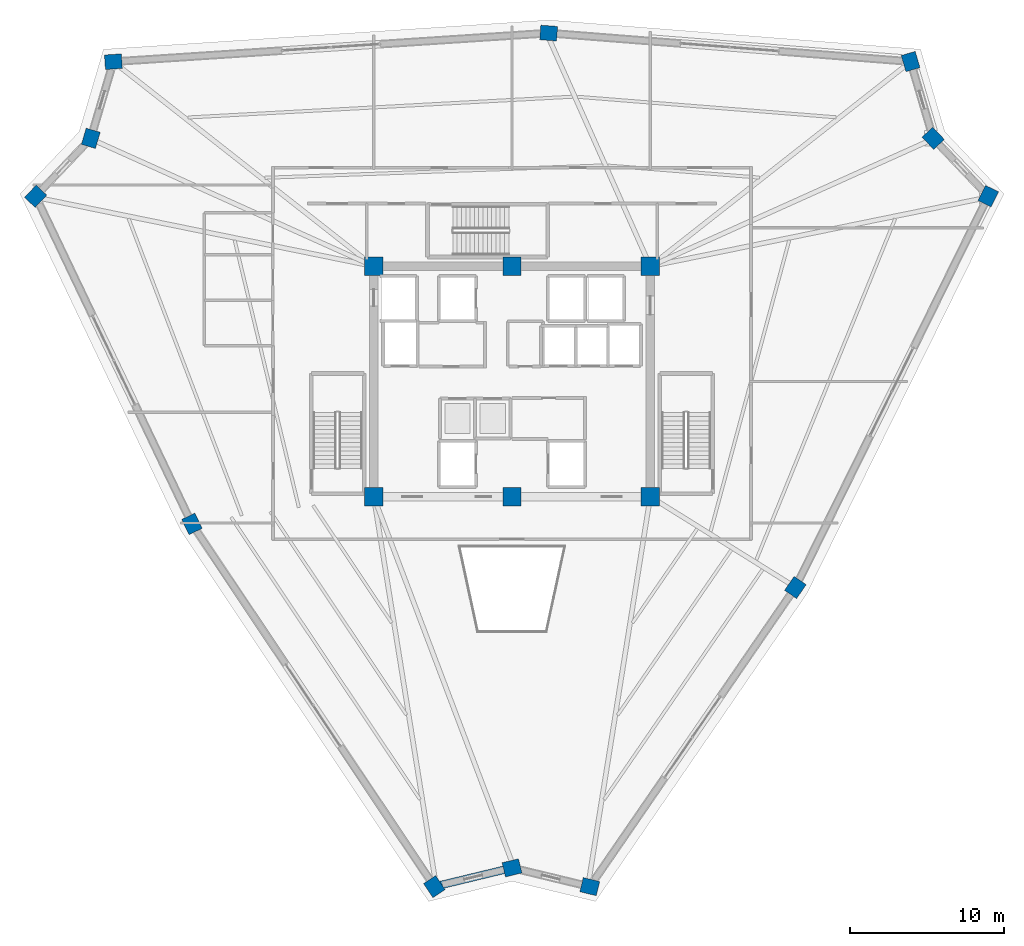
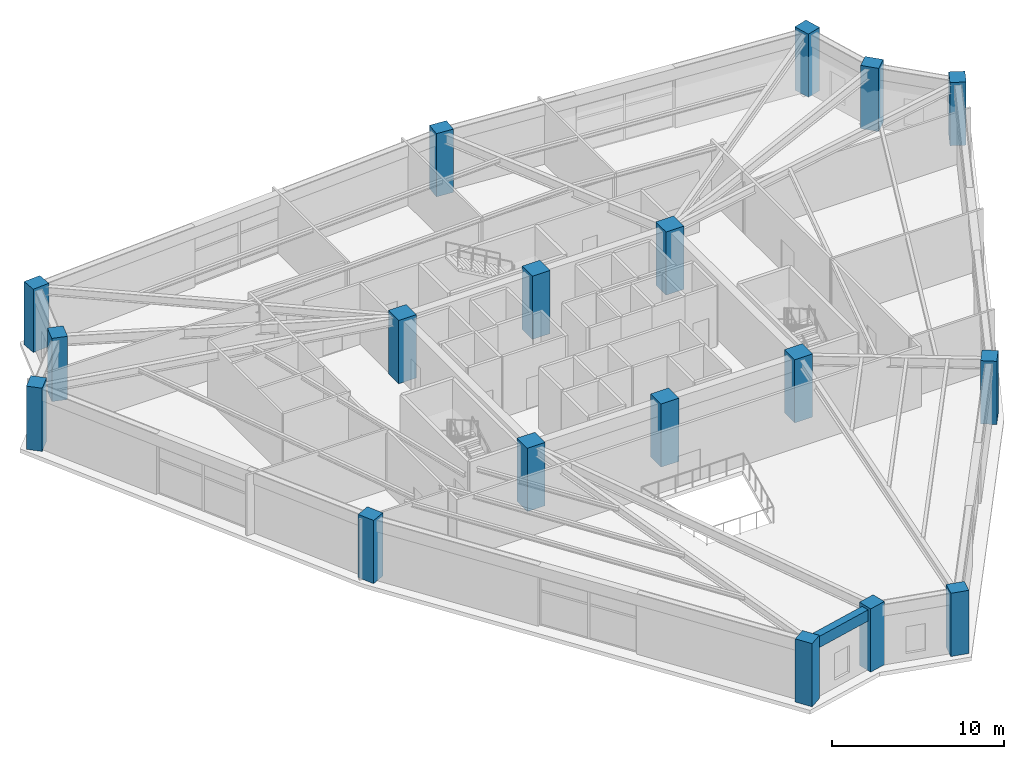
# One storey, part 1 of 35: 18 columns, 1 beam.
"""IFC4 building model written with IfcOpenShell, lengths in metres."""

import ifcopenshell
import ifcopenshell.guid

model = None  # the IFC model being written
_history = None  # IfcOwnerHistory: only IFC2X3 demands one
_inside = {}  # id of a spatial element -> (the spatial element, [elements in it])
_under = {}  # id of a project, library or spatial element -> (it, [spatial elements below it])
_declared = {}  # id of a project -> (the project, [libraries it declares])
_typed = {}  # id of a type object -> (the type object, [elements of that type])
_made_of = {}  # id of a material, layer set ... -> (it, [elements and type objects made of it])


def new_model(schema):
    """Start an empty IFC model of exactly this schema.

    Asked for "IFC4X3", IfcOpenShell would pick the latest addendum, in which some entities
    have other attributes; the version numbers below select the first issue.
    IFC2X3 requires an IfcOwnerHistory on every rooted entity: one is made here for all.
    """
    global model, _history
    if schema == "IFC4X3":
        model = ifcopenshell.file(schema_version=(4, 3, 0, 0))
    else:
        model = ifcopenshell.file(schema=schema)
    _inside.clear()
    _under.clear()
    _declared.clear()
    _typed.clear()
    _made_of.clear()
    _history = None
    if model.schema == "IFC2X3":
        org = make("IfcOrganization", Name="unknown")
        user = make(
            "IfcPersonAndOrganization",
            ThePerson=make("IfcPerson", FamilyName="unknown"),
            TheOrganization=org,
        )
        app = make(
            "IfcApplication",
            ApplicationDeveloper=org,
            Version="unknown",
            ApplicationFullName="unknown",
            ApplicationIdentifier="unknown",
        )
        _history = make(
            "IfcOwnerHistory",
            OwningUser=user,
            OwningApplication=app,
            ChangeAction="ADDED",
            CreationDate=0,
        )
    return model


def make(cls, **values):
    """One entity of the class cls with the attributes given. An attribute that is None is left unset."""
    return model.create_entity(
        cls, **{name: value for name, value in values.items() if value is not None}
    )


def rooted(cls, **values):
    """An entity with a GlobalId (a new one), such as an element, a storey or a relation."""
    return make(cls, GlobalId=ifcopenshell.guid.new(), OwnerHistory=_history, **values)


def si_unit(unit_type, name, prefix=None):
    """IfcSIUnit, for example si_unit("LENGTHUNIT", "METRE", prefix="MILLI")."""
    return make("IfcSIUnit", UnitType=unit_type, Prefix=prefix, Name=name)


def assignment(units):
    """IfcUnitAssignment: the units of a project."""
    return None if units is None else make("IfcUnitAssignment", Units=units)


def point(xyz):
    """IfcCartesianPoint."""
    return None if xyz is None else make("IfcCartesianPoint", Coordinates=xyz)


def direction(xyz):
    """IfcDirection."""
    return None if xyz is None else make("IfcDirection", DirectionRatios=xyz)


def frame(location, z_axis=None, x_axis=None):
    """IfcAxis2Placement3D, a coordinate frame: its origin and axes. An axis left out is left unset."""
    return make(
        "IfcAxis2Placement3D",
        Location=point(location),
        Axis=direction(z_axis),
        RefDirection=direction(x_axis),
    )


def frame_2d(location, x_axis=None):
    """IfcAxis2Placement2D, a coordinate frame in the plane: its origin and x axis."""
    return make(
        "IfcAxis2Placement2D", Location=point(location), RefDirection=direction(x_axis)
    )


def origin():
    """The frame at (0, 0, 0) with its axes left unset."""
    return frame((0.0, 0.0, 0.0))


def origin_2d():
    """The frame at (0, 0) in the plane with its x axis left unset."""
    return frame_2d((0.0, 0.0))


def place(relative_to, where):
    """IfcLocalPlacement: puts the frame where relative to a parent placement (None: the world)."""
    return make(
        "IfcLocalPlacement", PlacementRelTo=relative_to, RelativePlacement=where
    )


def context(
    kind, dimensions, precision=None, world=None, true_north=None, identifier=None
):
    """IfcGeometricRepresentationContext, for example the 3D "Model" context."""
    return make(
        "IfcGeometricRepresentationContext",
        ContextIdentifier=identifier,
        ContextType=kind,
        CoordinateSpaceDimension=dimensions,
        Precision=precision,
        WorldCoordinateSystem=world,
        TrueNorth=true_north,
    )


def subcontext(parent, identifier, kind, view, scale=None):
    """IfcGeometricRepresentationSubContext, for example "Body" below "Model"."""
    return make(
        "IfcGeometricRepresentationSubContext",
        ContextIdentifier=identifier,
        ContextType=kind,
        ParentContext=parent,
        TargetScale=scale,
        TargetView=view,
    )


def project(units=None, contexts=None):
    """IfcProject with its units and contexts."""
    return rooted(
        "IfcProject",
        Name="project",
        RepresentationContexts=contexts,
        UnitsInContext=assignment(units),
    )


def spatial(cls, under=None, at=None, **own):
    """A site, building, storey or space (cls), placed at a placement, below another one or the project."""
    s = rooted(cls, ObjectPlacement=at, **own)
    if under is not None:
        _under.setdefault(under.id(), (under, []))[1].append(s)
    return s


def profile(cls, at=None, kind="AREA", **sizes):
    """A parametric profile (cls). Its sizes go by their IFC names, for example OverallWidth=200.0."""
    return make(cls, ProfileType=kind, Position=at, **sizes)


def rectangle(**sizes):
    """IfcRectangleProfileDef."""
    return profile("IfcRectangleProfileDef", **sizes)


def extrude(swept, where, along, depth):
    """IfcExtrudedAreaSolid: the profile swept, set in the frame where, extruded along a direction by depth."""
    return make(
        "IfcExtrudedAreaSolid",
        SweptArea=swept,
        Position=where,
        ExtrudedDirection=direction(along),
        Depth=depth,
    )


def shape(context_of_items, identifier, shape_type, items):
    """IfcShapeRepresentation: the items that make up one representation, for example the "Body"."""
    return make(
        "IfcShapeRepresentation",
        ContextOfItems=context_of_items,
        RepresentationIdentifier=identifier,
        RepresentationType=shape_type,
        Items=items,
    )


def source(mapping_origin, context_of_items, identifier, shape_type, items):
    """IfcRepresentationMap: a shape defined once, which mapped items show again and again."""
    return make(
        "IfcRepresentationMap",
        MappingOrigin=mapping_origin,
        MappedRepresentation=shape(context_of_items, identifier, shape_type, items),
    )


def transform(
    local_origin,
    x_axis=None,
    y_axis=None,
    z_axis=None,
    scale=None,
    scale2=None,
    scale3=None,
    uniform=True,
):
    """IfcCartesianTransformationOperator3D, or its non-uniform kind. x_axis, y_axis, z_axis: its Axis1, 2, 3."""
    if uniform:
        return make(
            "IfcCartesianTransformationOperator3D",
            Axis1=direction(x_axis),
            Axis2=direction(y_axis),
            LocalOrigin=point(local_origin),
            Scale=scale,
            Axis3=direction(z_axis),
        )
    return make(
        "IfcCartesianTransformationOperator3DnonUniform",
        Axis1=direction(x_axis),
        Axis2=direction(y_axis),
        LocalOrigin=point(local_origin),
        Scale=scale,
        Axis3=direction(z_axis),
        Scale2=scale2,
        Scale3=scale3,
    )


def mapped(mapping_source, mapping_target):
    """IfcMappedItem: shows the shape of a source again, moved by a transform."""
    return make(
        "IfcMappedItem", MappingSource=mapping_source, MappingTarget=mapping_target
    )


def material(Name=None, Category=None):
    """IfcMaterial."""
    return make("IfcMaterial", Name=Name, Category=Category)


def material_profile(
    of_material, cross_section, Name=None, Category=None, Priority=None
):
    """IfcMaterialProfile: a cross section and its material."""
    return make(
        "IfcMaterialProfile",
        Name=Name,
        Material=of_material,
        Profile=cross_section,
        Priority=Priority,
        Category=Category,
    )


def profile_set(profiles, Name=None, composite=None):
    """IfcMaterialProfileSet."""
    return make(
        "IfcMaterialProfileSet",
        Name=Name,
        MaterialProfiles=profiles,
        CompositeProfile=composite,
    )


def made_of(thing, what):
    """Note that an element or type object is made of a material, layer set ...; save() writes the relation."""
    if what is not None:
        _made_of.setdefault(what.id(), (what, []))[1].append(thing)
    return thing


def type_object(cls, material=None, **own):
    """A type object (cls), such as IfcWallType, which elements share."""
    return made_of(rooted(cls, **own), material)


def element(
    cls,
    number,
    at=None,
    inside=None,
    cuts=None,
    type_object=None,
    material=None,
    context=None,
    identifier="Body",
    shape_type=None,
    held_by="IfcProductDefinitionShape",
    body=None,
    shapes=None,
    **own,
):
    """One element of the class cls, such as IfcWall. Its Tag is "e" and its number.

    at: its placement. inside: the storey or other place that contains it. cuts: it is an
    opening in that element (IfcRelVoidsElement). A single representation is given by context,
    identifier, shape_type and body (its items); several are given by shapes. held_by: the class
    of the entity that holds the representations. save() writes the other relations.
    """
    e = rooted(cls, Tag="e%d" % number, ObjectPlacement=at, **own)
    if body is not None:
        shapes = [shape(context, identifier, shape_type, body)]
    if shapes is not None:
        e.Representation = make(held_by, Representations=shapes)
    if inside is not None:
        _inside.setdefault(inside.id(), (inside, []))[1].append(e)
    if cuts is not None:
        rooted(
            "IfcRelVoidsElement", RelatingBuildingElement=cuts, RelatedOpeningElement=e
        )
    if type_object is not None:
        _typed.setdefault(type_object.id(), (type_object, []))[1].append(e)
    return made_of(e, material)


def aggregate(whole, parts):
    """IfcRelAggregates: a whole, such as a stair, and the parts it consists of."""
    return rooted("IfcRelAggregates", RelatingObject=whole, RelatedObjects=parts)


def save(model, path):
    """Write the relations noted so far, then the file.

    IfcRelAggregates (storeys below a building ...), IfcRelContainedInSpatialStructure (elements
    in a storey), IfcRelDefinesByType, IfcRelAssociatesMaterial and IfcRelDeclares: one each for
    every whole, place, type object, material and project.
    """
    for whole, parts in _under.values():
        aggregate(whole, parts)
    for where, things in _inside.values():
        rooted(
            "IfcRelContainedInSpatialStructure",
            RelatedElements=things,
            RelatingStructure=where,
        )
    for kind, things in _typed.values():
        rooted("IfcRelDefinesByType", RelatedObjects=things, RelatingType=kind)
    for what, things in _made_of.values():
        rooted("IfcRelAssociatesMaterial", RelatedObjects=things, RelatingMaterial=what)
    for by, libraries in _declared.values():
        rooted("IfcRelDeclares", RelatingContext=by, RelatedDefinitions=libraries)
    model.write(path)


model = new_model("IFC4")

# Units and contexts
model_context = context("Model", 3, precision=1e-05, world=origin(), true_north=direction((0.0, 1.0)))
body_context = subcontext(model_context, "Body", "Model", "MODEL_VIEW")
ifc_project = project(units=[si_unit("LENGTHUNIT", "METRE"), si_unit("AREAUNIT", "SQUARE_METRE"), si_unit("VOLUMEUNIT", "CUBIC_METRE"), si_unit("PLANEANGLEUNIT", "RADIAN"), si_unit("MASSUNIT", "GRAM", prefix="KILO")], contexts=[model_context])

# Site, building, storey
site_placement = place(None, origin())
site = spatial("IfcSite", under=ifc_project, at=site_placement, CompositionType="ELEMENT")
building_placement = place(site_placement, origin())
building = spatial("IfcBuilding", under=site, at=building_placement, Name="Liaohun Quay Tower", CompositionType="ELEMENT")
storey_placement = place(building_placement, frame((0.0, 0.0, 282.0)))
storey = spatial("IfcBuildingStorey", under=building, at=storey_placement, Name="L73", CompositionType="ELEMENT", Elevation=282.0)

# Columns
ifc_material_1 = material(Name="Concrete C50", Category="concrete")
ifc_material_profile_1 = material_profile(ifc_material_1, rectangle(XDim=1.199951171875, YDim=1.199951171875, at=origin_2d()), Name="RC1200x1200")
ifc_profile_set_1 = profile_set([ifc_material_profile_1], Name="Concrete C50")
column_type_1 = type_object("IfcColumnType", Name="COL-CC-Z4", PredefinedType="COLUMN", material=ifc_profile_set_1)
shared_shape_1 = source(origin(), body_context, "Body", "SweptSolid", [
    extrude(rectangle(XDim=1.199951171875, YDim=1.199951171875, at=origin_2d()), origin(), (0.0, 0.0, 1.0), 4.5),
])
for number, where, z_axis, x_axis, name in (
    (1, (51.0, 46.5, 0.0), (0.0, 0.0, 1.0), (1.0, 0.0, 0.0), "L73 Core Column CC1"),
    (2, (60.0, 46.5, 0.0), (0.0, 0.0, 1.0), (1.0, 0.0, 0.0), "L73 Core Column CC2"),
    (3, (69.0, 46.5, 0.0), (0.0, 0.0, 1.0), (1.0, 0.0, 0.0), "L73 Core Column CC3"),
    (4, (69.0, 61.5, 0.0), (0.0, 0.0, 1.0), (1.0, 0.0, 0.0), "L73 Core Column CC4"),
    (5, (60.0, 61.5, 0.0), (0.0, 0.0, 1.0), (1.0, 0.0, 0.0), "L73 Core Column CC5"),
    (6, (51.0, 61.5, 0.0), (0.0, 0.0, 1.0), (1.0, 0.0, 0.0), "L73 Core Column CC6"),
):
    element("IfcColumn", number, at=place(storey_placement, frame(where, z_axis=z_axis, x_axis=x_axis)), inside=storey, type_object=column_type_1, Name=name, PredefinedType="COLUMN", context=body_context, shape_type="MappedRepresentation", body=[
        mapped(shared_shape_1, transform((0.0, 0.0, 0.0), x_axis=(1.0, 0.0, 0.0), y_axis=(0.0, 1.0, 0.0), z_axis=(0.0, 0.0, 1.0), scale=1.0)),
    ])
ifc_material_profile_2 = material_profile(ifc_material_1, rectangle(XDim=1.10009765625, YDim=0.949951171875, at=origin_2d()), Name="RC1100x950")
ifc_profile_set_2 = profile_set([ifc_material_profile_2], Name="Concrete C50")
column_type_2 = type_object("IfcColumnType", Name="COL-PIER-Z4", PredefinedType="COLUMN", material=ifc_profile_set_2)
shared_shape_2 = source(origin(), body_context, "Body", "SweptSolid", [
    extrude(rectangle(XDim=1.10009765625, YDim=0.949951171875, at=origin_2d()), origin(), (0.0, 0.0, 1.0), 4.5),
])
for number, where, z_axis, x_axis, name in (
    (7, (54.946044921875, 21.1240234375, 0.0), (0.0, 0.0, 1.0), (-0.555715343381, 0.831372634341, 0.0), "L73 Perimeter Pier PC01"),
    (8, (39.16796875, 44.72900390625, 0.0), (0.0, 0.0, 1.0), (-0.430511096808, 0.90258528435, 0.0), "L73 Perimeter Pier PC02"),
    (9, (28.99609375, 66.055908203125, 0.0), (0.0, 0.0, 1.0), (0.68936671806, 0.724412539946, 0.0), "L73 Perimeter Pier PC03"),
    (10, (32.5849609375, 69.827880859375, 0.0), (0.0, 0.0, 1.0), (0.28284371374, 0.959166009405, 0.0), "L73 Perimeter Pier PC04"),
    (11, (34.055908203125, 74.81494140625, 0.0), (0.0, 0.0, 1.0), (0.997847493041, 0.06557728747, 0.0), "L73 Perimeter Pier PC05"),
    (12, (62.386962890625, 76.677001953125, 0.0), (0.0, 0.0, 1.0), (-0.996917333733, 0.078459095728, 0.0), "L73 Perimeter Pier PC06"),
    (13, (85.94189453125, 74.822998046875, 0.0), (0.0, 0.0, 1.0), (-0.28284371374, 0.959166009405, 0.0), "L73 Perimeter Pier PC07"),
    (14, (87.4150390625, 69.827880859375, 0.0), (0.0, 0.0, 1.0), (-0.68936671806, 0.724412539946, 0.0), "L73 Perimeter Pier PC08"),
    (15, (90.998046875, 66.06201171875, 0.0), (0.0, 0.0, 1.0), (0.44213214966, 0.896949921811, 0.0), "L73 Perimeter Pier PC09"),
    (16, (78.445068359375, 40.593994140625, 0.0), (0.0, 0.0, 1.0), (0.566406236925, 0.824126188622, 0.0), "L73 Perimeter Pier PC10"),
    (17, (65.06201171875, 21.1220703125, 0.0), (0.0, 0.0, 1.0), (-0.972043021443, 0.234802820391, 0.0), "L73 Perimeter Pier PC11"),
    (18, (60.0, 22.343994140625, 0.0), (0.0, 0.0, 1.0), (0.972043021443, 0.234802820391, 0.0), "L73 Perimeter Pier PC12"),
):
    element("IfcColumn", number, at=place(storey_placement, frame(where, z_axis=z_axis, x_axis=x_axis)), inside=storey, type_object=column_type_2, Name=name, PredefinedType="COLUMN", context=body_context, shape_type="MappedRepresentation", body=[
        mapped(shared_shape_2, transform((0.0, 0.0, 0.0), x_axis=(1.0, 0.0, 0.0), y_axis=(0.0, 1.0, 0.0), z_axis=(0.0, 0.0, 1.0), scale=1.0)),
    ])

# Beam
ifc_material_2 = material(Name="Precast concrete C50", Category="concrete")
ifc_material_profile_3 = material_profile(ifc_material_2, rectangle(XDim=0.5, YDim=0.800048828125, at=origin_2d()), Name="RC500x800")
ifc_profile_set_3 = profile_set([ifc_material_profile_3], Name="Precast concrete C50")
beam_type = type_object("IfcBeamType", Name="BM-SPD-Z4", PredefinedType="SPANDREL", material=ifc_profile_set_3)
shared_shape_3 = source(origin(), body_context, "Body", "SweptSolid", [
    extrude(rectangle(XDim=0.5, YDim=0.800048828125, at=origin_2d()), origin(), (0.0, 0.0, 1.0), 5.19921875),
])
beam_placement = place(storey_placement, frame((60.0, 22.343994140625, 3.919921875), z_axis=(-0.972079992529, -0.234649713669, 0.0), x_axis=(0.234649713669, -0.972079992529, 0.0)))
element("IfcBeam", 19, at=beam_placement, inside=storey, type_object=beam_type, Name="L73 Precast Spandrel Beam PC12-PC01", PredefinedType="SPANDREL", context=body_context, shape_type="MappedRepresentation", body=[
    mapped(shared_shape_3, transform((0.0, 0.0, 0.0), x_axis=(1.0, 0.0, 0.0), y_axis=(0.0, 1.0, 0.0), z_axis=(0.0, 0.0, 1.0), scale=1.0)),
])

save(model, "model.ifc")
